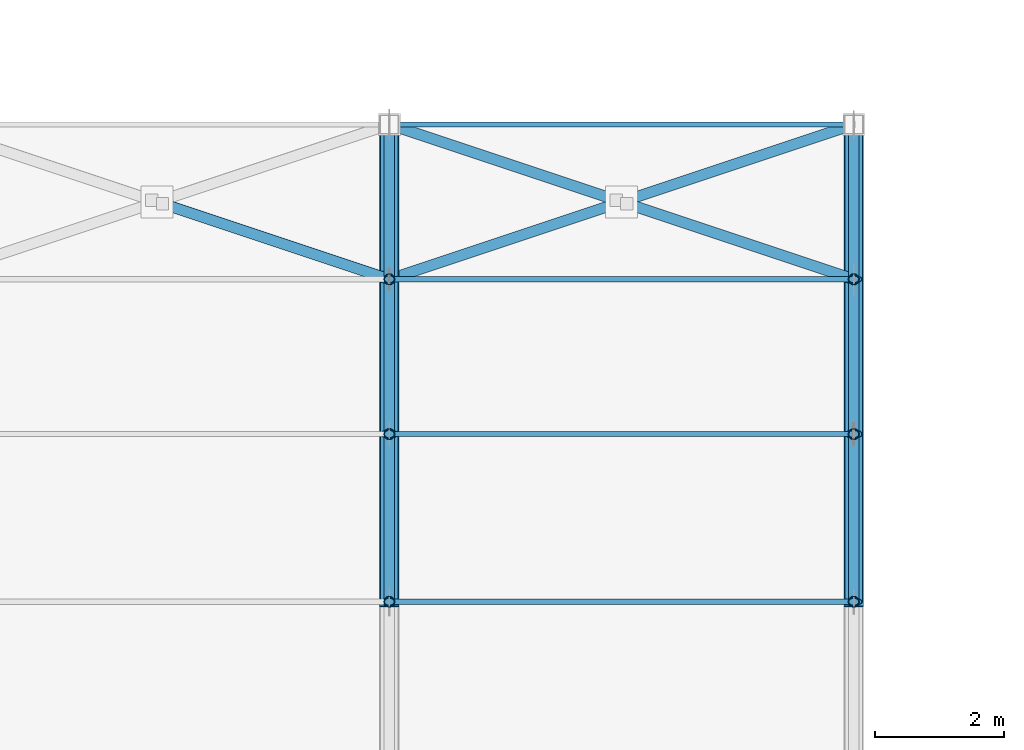
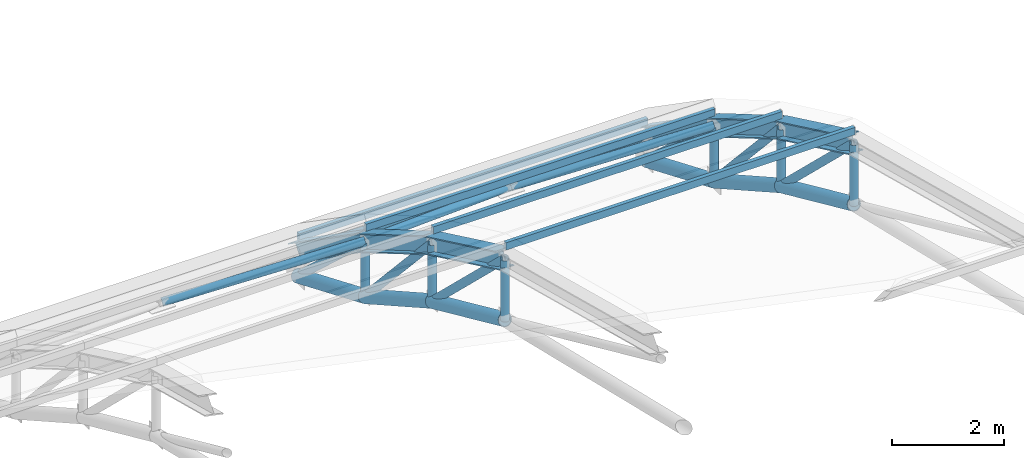
# One storey, part 31 of 63: 26 members, 6 beams.
"""IFC4 building model written with IfcOpenShell, lengths in metres."""

from ifc_helpers import new_model, si_unit, direction, frame, origin, origin_2d, place, context, subcontext, project, spatial, hollow_rectangle, hollow_circle, i_section, extrude, material, material_profile, profile_set, type_object, element, save


model = new_model("IFC4")

# Units and contexts
model_context = context("Model", 3, precision=1e-05, world=origin(), true_north=direction((0.0, 1.0)))
body_context = subcontext(model_context, "Body", "Model", "MODEL_VIEW")
ifc_project = project(units=[si_unit("LENGTHUNIT", "METRE"), si_unit("AREAUNIT", "SQUARE_METRE"), si_unit("VOLUMEUNIT", "CUBIC_METRE"), si_unit("PLANEANGLEUNIT", "RADIAN"), si_unit("MASSUNIT", "GRAM", prefix="KILO")], contexts=[model_context])

# Site, building, storey
site_placement = place(None, origin())
site = spatial("IfcSite", under=ifc_project, at=site_placement, CompositionType="ELEMENT")
building_placement = place(site_placement, origin())
building = spatial("IfcBuilding", under=site, at=building_placement, Name="Solvadek Multi-Sports Hall", CompositionType="ELEMENT")
storey_placement = place(building_placement, frame((0.0, 0.0, 19.199951171875)))
storey = spatial("IfcBuildingStorey", under=building, at=storey_placement, Name="RF", CompositionType="ELEMENT", Elevation=19.199951171875)

# Members
ifc_material_1 = material(Name="Steel E350 (350 MPa)", Category="steel")
ifc_material_profile_1 = material_profile(ifc_material_1, hollow_circle(Radius=0.084228515625, WallThickness=0.008056640625, at=origin_2d()), Name="CHS 168.3x8")
ifc_profile_set_1 = profile_set([ifc_material_profile_1], Name="Steel E350 (350 MPa)")
member_type_1 = type_object("IfcMemberType", Name="STR-BRC-CHS168", PredefinedType="BRACE", material=ifc_profile_set_1)
member_1_placement = place(storey_placement, frame((50.39990234375, 70.60009765625, -1.26708984375), z_axis=(0.0, 0.0, 1.0), x_axis=(1.0, 0.0, 0.0)))
element("IfcMember", 1, at=member_1_placement, inside=storey, type_object=member_type_1, Name="v4 Truss 5 Web Vertical 5", PredefinedType="BRACE", context=body_context, shape_type="SweptSolid", body=[
    extrude(hollow_circle(Radius=0.084228515625, WallThickness=0.008056640625, at=origin_2d()), origin(), (0.0, 0.0, 1.0), 1.329833984375),
])
member_2_placement = place(storey_placement, frame((50.39990234375, 70.60009765625, 0.062744140625), z_axis=(0.0, 0.720205061985, -0.693761247614), x_axis=(-1.0, 0.0, 0.0)))
element("IfcMember", 2, at=member_2_placement, inside=storey, type_object=member_type_1, Name="v4 Truss 5 Web Diagonal 6", PredefinedType="BRACE", context=body_context, shape_type="SweptSolid", body=[
    extrude(hollow_circle(Radius=0.084228515625, WallThickness=0.008056640625, at=origin_2d()), origin(), (0.0, 0.0, 1.0), 3.60986328125),
])
member_3_placement = place(storey_placement, frame((50.39990234375, 73.199951171875, -2.441650390625), z_axis=(0.0, 0.0, 1.0), x_axis=(1.0, 0.0, 0.0)))
element("IfcMember", 3, at=member_3_placement, inside=storey, type_object=member_type_1, Name="v4 Truss 5 Web Vertical 6", PredefinedType="BRACE", context=body_context, shape_type="SweptSolid", body=[
    extrude(hollow_circle(Radius=0.084228515625, WallThickness=0.008056640625, at=origin_2d()), origin(), (0.0, 0.0, 1.0), 1.2666015625),
])
member_4_placement = place(storey_placement, frame((50.39990234375, 73.199951171875, -1.175048828125), z_axis=(0.0, 0.675818010583, -0.737068529088), x_axis=(-1.0, 0.0, 0.0)))
element("IfcMember", 4, at=member_4_placement, inside=storey, type_object=member_type_1, Name="v4 Truss 5 Web Diagonal 7", PredefinedType="BRACE", context=body_context, shape_type="SweptSolid", body=[
    extrude(hollow_circle(Radius=0.084228515625, WallThickness=0.008056640625, at=origin_2d()), origin(), (0.0, 0.0, 1.0), 3.551513671875),
])
member_5_placement = place(storey_placement, frame((50.39990234375, 75.60009765625, -3.792724609375), z_axis=(0.0, 0.0, 1.0), x_axis=(1.0, 0.0, 0.0)))
element("IfcMember", 5, at=member_5_placement, inside=storey, type_object=member_type_1, Name="v4 Truss 5 Web Vertical 7", PredefinedType="BRACE", context=body_context, shape_type="SweptSolid", body=[
    extrude(hollow_circle(Radius=0.084228515625, WallThickness=0.008056640625, at=origin_2d()), origin(), (0.0, 0.0, 1.0), 1.208251953125),
])
member_6_placement = place(storey_placement, frame((50.39990234375, 75.60009765625, -2.58447265625), z_axis=(0.0, 0.734760457806, -0.678326668829), x_axis=(-1.0, 0.0, 0.0)))
element("IfcMember", 6, at=member_6_placement, inside=storey, type_object=member_type_1, Name="v4 Truss 5 Web Diagonal 8", PredefinedType="BRACE", context=body_context, shape_type="SweptSolid", body=[
    extrude(hollow_circle(Radius=0.084228515625, WallThickness=0.008056640625, at=origin_2d()), origin(), (0.0, 0.0, 1.0), 3.266357421875),
])
member_7_placement = place(storey_placement, frame((57.60009765625, 70.60009765625, -1.26708984375), z_axis=(0.0, 0.0, 1.0), x_axis=(1.0, 0.0, 0.0)))
element("IfcMember", 7, at=member_7_placement, inside=storey, type_object=member_type_1, Name="v4 Truss 6 Web Vertical 5", PredefinedType="BRACE", context=body_context, shape_type="SweptSolid", body=[
    extrude(hollow_circle(Radius=0.084228515625, WallThickness=0.008056640625, at=origin_2d()), origin(), (0.0, 0.0, 1.0), 1.329833984375),
])
member_8_placement = place(storey_placement, frame((57.60009765625, 70.60009765625, 0.062744140625), z_axis=(0.0, 0.720205061985, -0.693761247614), x_axis=(-1.0, 0.0, 0.0)))
element("IfcMember", 8, at=member_8_placement, inside=storey, type_object=member_type_1, Name="v4 Truss 6 Web Diagonal 6", PredefinedType="BRACE", context=body_context, shape_type="SweptSolid", body=[
    extrude(hollow_circle(Radius=0.084228515625, WallThickness=0.008056640625, at=origin_2d()), origin(), (0.0, 0.0, 1.0), 3.60986328125),
])
member_9_placement = place(storey_placement, frame((57.60009765625, 73.199951171875, -2.441650390625), z_axis=(0.0, 0.0, 1.0), x_axis=(1.0, 0.0, 0.0)))
element("IfcMember", 9, at=member_9_placement, inside=storey, type_object=member_type_1, Name="v4 Truss 6 Web Vertical 6", PredefinedType="BRACE", context=body_context, shape_type="SweptSolid", body=[
    extrude(hollow_circle(Radius=0.084228515625, WallThickness=0.008056640625, at=origin_2d()), origin(), (0.0, 0.0, 1.0), 1.2666015625),
])
member_10_placement = place(storey_placement, frame((57.60009765625, 73.199951171875, -1.175048828125), z_axis=(0.0, 0.675818010583, -0.737068529088), x_axis=(-1.0, 0.0, 0.0)))
element("IfcMember", 10, at=member_10_placement, inside=storey, type_object=member_type_1, Name="v4 Truss 6 Web Diagonal 7", PredefinedType="BRACE", context=body_context, shape_type="SweptSolid", body=[
    extrude(hollow_circle(Radius=0.084228515625, WallThickness=0.008056640625, at=origin_2d()), origin(), (0.0, 0.0, 1.0), 3.551513671875),
])
member_11_placement = place(storey_placement, frame((57.60009765625, 75.60009765625, -3.792724609375), z_axis=(0.0, 0.0, 1.0), x_axis=(1.0, 0.0, 0.0)))
element("IfcMember", 11, at=member_11_placement, inside=storey, type_object=member_type_1, Name="v4 Truss 6 Web Vertical 7", PredefinedType="BRACE", context=body_context, shape_type="SweptSolid", body=[
    extrude(hollow_circle(Radius=0.084228515625, WallThickness=0.008056640625, at=origin_2d()), origin(), (0.0, 0.0, 1.0), 1.208251953125),
])
member_12_placement = place(storey_placement, frame((57.60009765625, 75.60009765625, -2.58447265625), z_axis=(0.0, 0.734760457806, -0.678326668829), x_axis=(-1.0, 0.0, 0.0)))
element("IfcMember", 12, at=member_12_placement, inside=storey, type_object=member_type_1, Name="v4 Truss 6 Web Diagonal 8", PredefinedType="BRACE", context=body_context, shape_type="SweptSolid", body=[
    extrude(hollow_circle(Radius=0.084228515625, WallThickness=0.008056640625, at=origin_2d()), origin(), (0.0, 0.0, 1.0), 3.266357421875),
])
member_13_placement = place(storey_placement, frame((46.88525390625, 76.771484375, -3.3974609375), z_axis=(0.926646563984, -0.308839275771, 0.214346558632), x_axis=(0.316188225739, 0.948696477228, 0.0)))
element("IfcMember", 13, at=member_13_placement, inside=storey, type_object=member_type_1, Name="V4 Roof Plan Half-Brace #20B", PredefinedType="BRACE", context=body_context, shape_type="SweptSolid", body=[
    extrude(hollow_circle(Radius=0.084228515625, WallThickness=0.008056640625, at=origin_2d()), origin(), (0.0, 0.0, 1.0), 3.79296875),
])
member_14_placement = place(storey_placement, frame((50.39990234375, 75.60009765625, -2.58447265625), z_axis=(0.926639778271, 0.308858979398, -0.214347503301), x_axis=(-0.316208465333, 0.948689731394, 0.0)))
element("IfcMember", 14, at=member_14_placement, inside=storey, type_object=member_type_1, Name="V4 Roof Plan Brace #23", PredefinedType="BRACE", context=body_context, shape_type="SweptSolid", body=[
    extrude(hollow_circle(Radius=0.084228515625, WallThickness=0.008056640625, at=origin_2d()), origin(), (0.0, 0.0, 1.0), 7.770263671875),
])
for number, where, z_axis, x_axis, name in (
    (15, (50.39990234375, 78.0, -4.25), (0.926624454946, -0.308874818315, 0.214390918901), (0.316227766017, 0.948683298051, 0.0), "V4 Roof Plan Half-Brace #24A"),
    (16, (54.085205078125, 76.771484375, -3.3974609375), (0.926655660099, -0.308820855536, 0.214333774268), (0.316168459102, 0.948703064962, 0.0), "V4 Roof Plan Half-Brace #24B"),
):
    element("IfcMember", number, at=place(storey_placement, frame(where, z_axis=z_axis, x_axis=x_axis)), inside=storey, type_object=member_type_1, Name=name, PredefinedType="BRACE", context=body_context, shape_type="SweptSolid", body=[
        extrude(hollow_circle(Radius=0.084228515625, WallThickness=0.008056640625, at=origin_2d()), origin(), (0.0, 0.0, 1.0), 3.793212890625),
    ])
ifc_material_profile_2 = material_profile(ifc_material_1, hollow_circle(Radius=0.136474609375, WallThickness=0.011962890625, at=origin_2d()), Name="CHS 273.0x12")
ifc_profile_set_2 = profile_set([ifc_material_profile_2], Name="Steel E350 (350 MPa)")
member_type_2 = type_object("IfcMemberType", Name="STR-CHD-CHS273", PredefinedType="CHORD", material=ifc_profile_set_2)
member_15_placement = place(storey_placement, frame((50.39990234375, 70.60009765625, -1.26708984375), z_axis=(0.0, 0.911313637959, -0.411712828643), x_axis=(-1.0, 0.0, 0.0)))
element("IfcMember", 17, at=member_15_placement, inside=storey, type_object=member_type_2, Name="v4 Arched Truss 5 Bottom Chord 6", PredefinedType="CHORD", context=body_context, shape_type="SweptSolid", body=[
    extrude(hollow_circle(Radius=0.136474609375, WallThickness=0.011962890625, at=origin_2d()), origin(), (0.0, 0.0, 1.0), 2.852783203125),
])
member_16_placement = place(storey_placement, frame((50.39990234375, 73.199951171875, -2.441650390625), z_axis=(0.0, 0.871421623259, -0.49053476382), x_axis=(-1.0, 0.0, 0.0)))
element("IfcMember", 18, at=member_16_placement, inside=storey, type_object=member_type_2, Name="v4 Arched Truss 5 Bottom Chord 7", PredefinedType="CHORD", context=body_context, shape_type="SweptSolid", body=[
    extrude(hollow_circle(Radius=0.136474609375, WallThickness=0.011962890625, at=origin_2d()), origin(), (0.0, 0.0, 1.0), 2.75439453125),
])
member_17_placement = place(storey_placement, frame((50.39990234375, 75.60009765625, -3.792724609375), z_axis=(0.0, 0.922069154115, -0.38702516072), x_axis=(-1.0, 0.0, 0.0)))
element("IfcMember", 19, at=member_17_placement, inside=storey, type_object=member_type_2, Name="v4 Arched Truss 5 Bottom Chord 8", PredefinedType="CHORD", context=body_context, shape_type="SweptSolid", body=[
    extrude(hollow_circle(Radius=0.136474609375, WallThickness=0.011962890625, at=origin_2d()), origin(), (0.0, 0.0, 1.0), 2.602783203125),
])
member_18_placement = place(storey_placement, frame((57.60009765625, 70.60009765625, -1.26708984375), z_axis=(0.0, 0.911313637959, -0.411712828643), x_axis=(-1.0, 0.0, 0.0)))
element("IfcMember", 20, at=member_18_placement, inside=storey, type_object=member_type_2, Name="v4 Arched Truss 6 Bottom Chord 6", PredefinedType="CHORD", context=body_context, shape_type="SweptSolid", body=[
    extrude(hollow_circle(Radius=0.136474609375, WallThickness=0.011962890625, at=origin_2d()), origin(), (0.0, 0.0, 1.0), 2.852783203125),
])
member_19_placement = place(storey_placement, frame((57.60009765625, 73.199951171875, -2.441650390625), z_axis=(0.0, 0.871421623259, -0.49053476382), x_axis=(-1.0, 0.0, 0.0)))
element("IfcMember", 21, at=member_19_placement, inside=storey, type_object=member_type_2, Name="v4 Arched Truss 6 Bottom Chord 7", PredefinedType="CHORD", context=body_context, shape_type="SweptSolid", body=[
    extrude(hollow_circle(Radius=0.136474609375, WallThickness=0.011962890625, at=origin_2d()), origin(), (0.0, 0.0, 1.0), 2.75439453125),
])
member_20_placement = place(storey_placement, frame((57.60009765625, 75.60009765625, -3.792724609375), z_axis=(0.0, 0.922069154115, -0.38702516072), x_axis=(-1.0, 0.0, 0.0)))
element("IfcMember", 22, at=member_20_placement, inside=storey, type_object=member_type_2, Name="v4 Arched Truss 6 Bottom Chord 8", PredefinedType="CHORD", context=body_context, shape_type="SweptSolid", body=[
    extrude(hollow_circle(Radius=0.136474609375, WallThickness=0.011962890625, at=origin_2d()), origin(), (0.0, 0.0, 1.0), 2.602783203125),
])
ifc_material_2 = material(Name="Steel E250 (250 MPa)", Category="steel")
ifc_material_profile_3 = material_profile(ifc_material_2, hollow_rectangle(XDim=0.080078125, YDim=0.159912109375, WallThickness=0.006103515625, at=origin_2d()), Name="RHS 160x80x6")
ifc_profile_set_3 = profile_set([ifc_material_profile_3], Name="Steel E250 (250 MPa)")
member_type_3 = type_object("IfcMemberType", Name="STR-PUR-RHS160", PredefinedType="PURLIN", material=ifc_profile_set_3)
for number, where, z_axis, x_axis, name in (
    (23, (50.39990234375, 70.60009765625, 0.34619140625), (1.0, 0.0, 0.0), (0.0, 1.0, 0.0), "V4 Roof Purlin #105"),
    (24, (50.39990234375, 73.199951171875, -0.88232421875), (1.0, 0.0, 0.0), (0.0, 1.0, 0.0), "V4 Roof Purlin #106"),
    (25, (50.39990234375, 75.60009765625, -2.28125), (1.0, 0.0, 0.0), (0.0, 1.0, 0.0), "V4 Roof Purlin #107"),
    (26, (50.39990234375, 78.0, -3.94677734375), (1.0, 0.0, 0.0), (0.0, 1.0, 0.0), "V4 Roof Purlin #108"),
):
    element("IfcMember", number, at=place(storey_placement, frame(where, z_axis=z_axis, x_axis=x_axis)), inside=storey, type_object=member_type_3, Name=name, PredefinedType="PURLIN", context=body_context, shape_type="SweptSolid", body=[
        extrude(hollow_rectangle(XDim=0.080078125, YDim=0.159912109375, WallThickness=0.006103515625, at=origin_2d()), origin(), (0.0, 0.0, 1.0), 7.2001953125),
    ])

# Beams
ifc_material_profile_4 = material_profile(ifc_material_1, i_section(OverallWidth=0.300048828125, OverallDepth=0.360107421875, WebThickness=0.012451171875, FlangeThickness=0.0224609375, at=origin_2d()), Name="WPB 360")
ifc_profile_set_4 = profile_set([ifc_material_profile_4], Name="Steel E350 (350 MPa)")
beam_type = type_object("IfcBeamType", Name="STR-TRS-WPB360", PredefinedType="USERDEFINED", material=ifc_profile_set_4)
beam_1_placement = place(storey_placement, frame((50.39990234375, 70.60009765625, 0.062744140625), z_axis=(0.0, 0.902891860801, -0.429867756058), x_axis=(-1.0, 0.0, 0.0)))
element("IfcBeam", 27, at=beam_1_placement, inside=storey, type_object=beam_type, Name="v4 Arched Truss 5 Top Chord 6", ObjectType="ROOF TRUSS", PredefinedType="USERDEFINED", context=body_context, shape_type="SweptSolid", body=[
    extrude(i_section(OverallWidth=0.300048828125, OverallDepth=0.360107421875, WebThickness=0.012451171875, FlangeThickness=0.0224609375, at=origin_2d()), origin(), (0.0, 0.0, 1.0), 2.87939453125),
])
beam_2_placement = place(storey_placement, frame((50.39990234375, 73.199951171875, -1.175048828125), z_axis=(0.0, 0.862315042245, -0.506372163451), x_axis=(-1.0, 0.0, 0.0)))
element("IfcBeam", 28, at=beam_2_placement, inside=storey, type_object=beam_type, Name="v4 Arched Truss 5 Top Chord 7", ObjectType="ROOF TRUSS", PredefinedType="USERDEFINED", context=body_context, shape_type="SweptSolid", body=[
    extrude(i_section(OverallWidth=0.300048828125, OverallDepth=0.360107421875, WebThickness=0.012451171875, FlangeThickness=0.0224609375, at=origin_2d()), origin(), (0.0, 0.0, 1.0), 2.783447265625),
])
beam_3_placement = place(storey_placement, frame((50.39990234375, 75.60009765625, -2.58447265625), z_axis=(0.0, 0.821541776943, -0.5701483217), x_axis=(-1.0, 0.0, 0.0)))
element("IfcBeam", 29, at=beam_3_placement, inside=storey, type_object=beam_type, Name="v4 Arched Truss 5 Top Chord 8", ObjectType="ROOF TRUSS", PredefinedType="USERDEFINED", context=body_context, shape_type="SweptSolid", body=[
    extrude(i_section(OverallWidth=0.300048828125, OverallDepth=0.360107421875, WebThickness=0.012451171875, FlangeThickness=0.0224609375, at=origin_2d()), origin(), (0.0, 0.0, 1.0), 2.921142578125),
])
beam_4_placement = place(storey_placement, frame((57.60009765625, 70.60009765625, 0.062744140625), z_axis=(0.0, 0.902891860801, -0.429867756058), x_axis=(-1.0, 0.0, 0.0)))
element("IfcBeam", 30, at=beam_4_placement, inside=storey, type_object=beam_type, Name="v4 Arched Truss 6 Top Chord 6", ObjectType="ROOF TRUSS", PredefinedType="USERDEFINED", context=body_context, shape_type="SweptSolid", body=[
    extrude(i_section(OverallWidth=0.300048828125, OverallDepth=0.360107421875, WebThickness=0.012451171875, FlangeThickness=0.0224609375, at=origin_2d()), origin(), (0.0, 0.0, 1.0), 2.87939453125),
])
beam_5_placement = place(storey_placement, frame((57.60009765625, 73.199951171875, -1.175048828125), z_axis=(0.0, 0.862315042245, -0.506372163451), x_axis=(-1.0, 0.0, 0.0)))
element("IfcBeam", 31, at=beam_5_placement, inside=storey, type_object=beam_type, Name="v4 Arched Truss 6 Top Chord 7", ObjectType="ROOF TRUSS", PredefinedType="USERDEFINED", context=body_context, shape_type="SweptSolid", body=[
    extrude(i_section(OverallWidth=0.300048828125, OverallDepth=0.360107421875, WebThickness=0.012451171875, FlangeThickness=0.0224609375, at=origin_2d()), origin(), (0.0, 0.0, 1.0), 2.783447265625),
])
beam_6_placement = place(storey_placement, frame((57.60009765625, 75.60009765625, -2.58447265625), z_axis=(0.0, 0.821541776943, -0.5701483217), x_axis=(-1.0, 0.0, 0.0)))
element("IfcBeam", 32, at=beam_6_placement, inside=storey, type_object=beam_type, Name="v4 Arched Truss 6 Top Chord 8", ObjectType="ROOF TRUSS", PredefinedType="USERDEFINED", context=body_context, shape_type="SweptSolid", body=[
    extrude(i_section(OverallWidth=0.300048828125, OverallDepth=0.360107421875, WebThickness=0.012451171875, FlangeThickness=0.0224609375, at=origin_2d()), origin(), (0.0, 0.0, 1.0), 2.921142578125),
])

save(model, "model.ifc")
